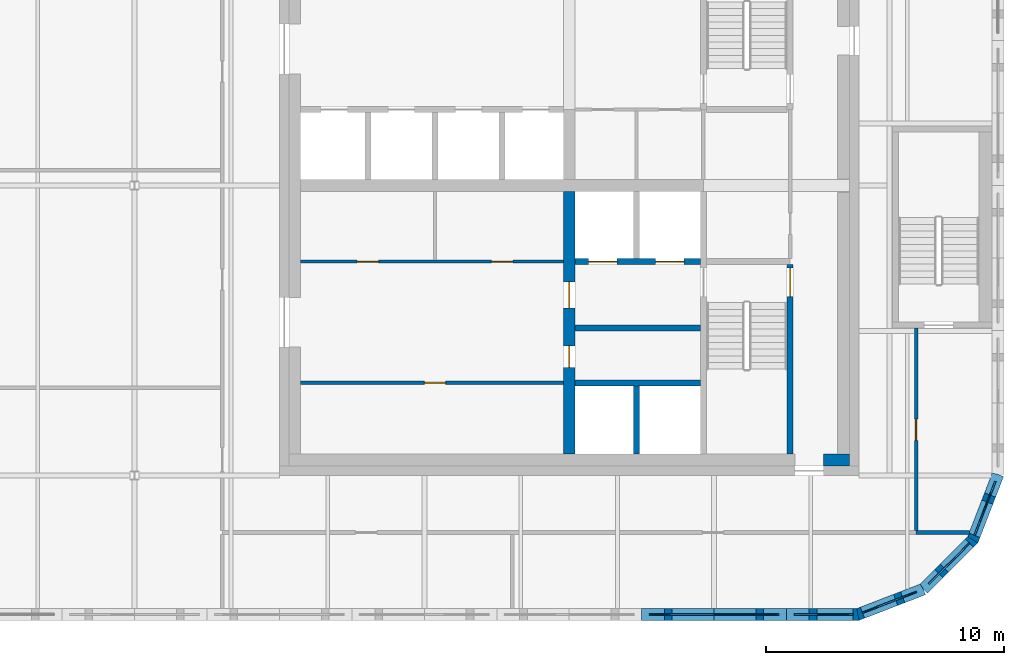
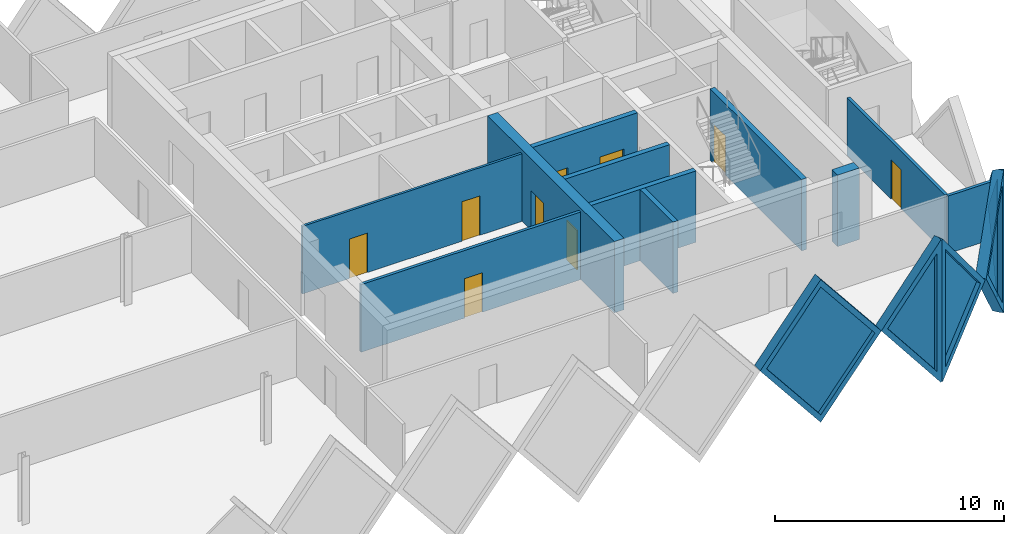
# One storey, part 5 of 10: 16 walls, 9 doors, 5 plates, 14 openings.
"""IFC4 building model written with IfcOpenShell, lengths in metres."""

from ifc_helpers import new_model, si_unit, direction, frame, frame_2d, origin, place, context, subcontext, project, spatial, polyline, rectangle, outline, extrude, faceted_brep, source, transform, mapped, material, layer, layer_set, type_object, element, fill, save


model = new_model("IFC4")

# Units and contexts
model_context = context("Model", 3, precision=1e-05, world=origin(), true_north=direction((0.0, 1.0)))
body_context = subcontext(model_context, "Body", "Model", "MODEL_VIEW")
ifc_project = project(units=[si_unit("LENGTHUNIT", "METRE"), si_unit("AREAUNIT", "SQUARE_METRE"), si_unit("VOLUMEUNIT", "CUBIC_METRE"), si_unit("PLANEANGLEUNIT", "RADIAN"), si_unit("MASSUNIT", "GRAM", prefix="KILO")], contexts=[model_context])

# Site, building, storey
site_placement = place(None, origin())
site = spatial("IfcSite", under=ifc_project, at=site_placement, CompositionType="ELEMENT")
building_placement = place(site_placement, origin())
building = spatial("IfcBuilding", under=site, at=building_placement, Name="Tessera Gate Towers", CompositionType="ELEMENT")
storey_placement = place(building_placement, frame((0.0, 0.0, 252.10009765625)))
storey = spatial("IfcBuildingStorey", under=building, at=storey_placement, Name="L63", CompositionType="ELEMENT", Elevation=252.10009765625)

# Wall, openings, doors
ifc_material_1 = material(Name="Concrete C40/50", Category="concrete")
ifc_layer_1 = layer(ifc_material_1, 0.25)
ifc_layer_set_1 = layer_set([ifc_layer_1], Name="CORE ENCLOSURE WALL 250")
wall_type_1 = type_object("IfcWallType", Name="CORE ENCLOSURE WALL 250", PredefinedType="SOLIDWALL", material=ifc_layer_set_1)
wall_1_placement = place(storey_placement, frame((48.22509765625, 33.39990234375, 0.0), z_axis=(0.0, 0.0, 1.0), x_axis=(-1.0, 0.0, 0.0)))
wall_1 = element("IfcWall", 1, at=wall_1_placement, inside=storey, type_object=wall_type_1, Name="L63 shaft and stair enclosure wall", PredefinedType="SOLIDWALL", context=body_context, shape_type="SweptSolid", body=[
    extrude(rectangle(XDim=5.275146484375, YDim=0.25, at=frame_2d((2.6376953125, 0.0))), origin(), (0.0, 0.0, 1.0), 3.7998046875),
])
shared_shape_1 = source(origin(), body_context, "Body", "SweptSolid", [
    extrude(rectangle(XDim=1.199951171875, YDim=2.10009765625, at=frame_2d((0.60009765625, 1.050048828125))), frame((0.0, 0.135009765625, 0.0), z_axis=(0.0, -1.0, 0.0), x_axis=(1.0, 0.0, 0.0)), (0.0, 0.0, 1.0), 0.27001953125),
])
opening_1_placement = place(wall_1_placement, frame((3.512451171875, 0.0, 0.0)))
opening_1 = element("IfcOpeningElement", 2, at=opening_1_placement, cuts=wall_1, Name="Opening LD-FF1", PredefinedType="OPENING", context=body_context, shape_type="MappedRepresentation", body=[
    mapped(shared_shape_1, transform((0.0, 0.0, 0.0), scale=1.0)),
])
opening_2_placement = place(wall_1_placement, frame((0.6875, 0.0, 0.0)))
opening_2 = element("IfcOpeningElement", 3, at=opening_2_placement, cuts=wall_1, Name="Opening LD-FF2", PredefinedType="OPENING", context=body_context, shape_type="MappedRepresentation", body=[
    mapped(shared_shape_1, transform((0.0, 0.0, 0.0), scale=1.0)),
])
ifc_material_2 = material(Name="Stainless steel", Category="steel")
door_type_1 = type_object("IfcDoorType", Name="CORE DOOR LD1200 1200x2100", OperationType="DOUBLE_DOOR_SLIDING", PredefinedType="DOOR", material=ifc_material_2)
shared_shape_2 = source(origin(), body_context, "Body", "SweptSolid", [
    extrude(rectangle(XDim=1.199951171875, YDim=2.10009765625, at=frame_2d((0.60009765625, 1.050048828125))), frame((0.0, 0.02490234375, 0.0), z_axis=(0.0, -1.0, 0.0), x_axis=(1.0, 0.0, 0.0)), (0.0, 0.0, 1.0), 0.050048828125),
])
door_1_placement = place(opening_1_placement, origin())
door_1 = element("IfcDoor", 4, at=door_1_placement, inside=storey, type_object=door_type_1, Name="Landing door FF1 L63", OperationType="DOUBLE_DOOR_SLIDING", OverallHeight=2.10009765625, OverallWidth=1.199951171875, PredefinedType="DOOR", context=body_context, shape_type="MappedRepresentation", body=[
    mapped(shared_shape_2, transform((0.0, 0.0, 0.0), scale=1.0)),
])
fill(opening_1, door_1)
door_2_placement = place(opening_2_placement, origin())
door_2 = element("IfcDoor", 5, at=door_2_placement, inside=storey, type_object=door_type_1, Name="Landing door FF2 L63", OperationType="DOUBLE_DOOR_SLIDING", OverallHeight=2.10009765625, OverallWidth=1.199951171875, PredefinedType="DOOR", context=body_context, shape_type="MappedRepresentation", body=[
    mapped(shared_shape_2, transform((0.0, 0.0, 0.0), scale=1.0)),
])
fill(opening_2, door_2)

# Wall, opening, door
wall_2_placement = place(storey_placement, frame((52.0, 25.300048828125, 0.0), z_axis=(0.0, 0.0, 1.0), x_axis=(0.0, 1.0, 0.0)))
wall_2 = element("IfcWall", 6, at=wall_2_placement, inside=storey, type_object=wall_type_1, Name="L63 shaft and stair enclosure wall", PredefinedType="SOLIDWALL", context=body_context, shape_type="SweptSolid", body=[
    extrude(rectangle(XDim=7.974853515625, YDim=0.25, at=frame_2d((3.9873046875, 0.0))), origin(), (0.0, 0.0, 1.0), 3.7998046875),
])
opening_3_placement = place(wall_2_placement, frame((6.625, 0.0, 0.0)))
opening_3 = element("IfcOpeningElement", 7, at=opening_3_placement, cuts=wall_2, Name="Opening SD-ST1-2", PredefinedType="OPENING", context=body_context, shape_type="MappedRepresentation", body=[
    mapped(shared_shape_1, transform((0.0, 0.0, 0.0), scale=1.0)),
])
ifc_material_3 = material(Name="Hollow steel fire door", Category="steel")
door_type_2 = type_object("IfcDoorType", Name="CORE DOOR SD 1200x2100", OperationType="NOTDEFINED", PredefinedType="DOOR", material=ifc_material_3)
door_3_placement = place(opening_3_placement, origin())
door_3 = element("IfcDoor", 8, at=door_3_placement, inside=storey, type_object=door_type_2, Name="Stair door", OperationType="SINGLE_SWING_RIGHT", OverallHeight=2.10009765625, OverallWidth=1.199951171875, PredefinedType="DOOR", context=body_context, shape_type="MappedRepresentation", body=[
    mapped(shared_shape_2, transform((0.0, 0.0, 0.0), scale=1.0)),
])
fill(opening_3, door_3)

# Walls
for number, where, z_axis, x_axis, name in (
    (9, (42.949951171875, 28.300048828125, 0.0), (0.0, 0.0, 1.0), (1.0, 0.0, 0.0), "L63 shaft and stair enclosure wall"),
    (10, (42.949951171875, 30.60009765625, 0.0), (0.0, 0.0, 1.0), (1.0, 0.0, 0.0), "L63 shaft and stair enclosure wall"),
):
    element("IfcWall", number, at=place(storey_placement, frame(where, z_axis=z_axis, x_axis=x_axis)), inside=storey, type_object=wall_type_1, Name=name, PredefinedType="SOLIDWALL", context=body_context, shape_type="SweptSolid", body=[
        extrude(rectangle(XDim=5.275146484375, YDim=0.25, at=frame_2d((2.6376953125, 0.0))), origin(), (0.0, 0.0, 1.0), 3.7998046875),
    ])
wall_3_placement = place(storey_placement, frame((45.52490234375, 25.300048828125, 0.0), z_axis=(0.0, 0.0, 1.0), x_axis=(0.0, 1.0, 0.0)))
element("IfcWall", 11, at=wall_3_placement, inside=storey, type_object=wall_type_1, Name="L63 shaft and stair enclosure wall", PredefinedType="SOLIDWALL", context=body_context, shape_type="SweptSolid", body=[
    extrude(rectangle(XDim=2.875, YDim=0.25, at=frame_2d((1.4375, 0.0))), origin(), (0.0, 0.0, 1.0), 3.7998046875),
])

# Wall, openings, doors
ifc_material_4 = material(Name="Gypsum board on steel studs", Category="steel")
ifc_layer_2 = layer(ifc_material_4, 0.1201171875)
ifc_layer_set_2 = layer_set([ifc_layer_2], Name="CORE PARTITION 120")
wall_type_2 = type_object("IfcWallType", Name="CORE PARTITION 120", PredefinedType="PARTITIONING", material=ifc_layer_set_2)
wall_4_placement = place(storey_placement, frame((31.39990234375, 33.39990234375, 0.0), z_axis=(0.0, 0.0, 1.0), x_axis=(1.0, 0.0, 0.0)))
wall_4 = element("IfcWall", 12, at=wall_4_placement, inside=storey, type_object=wall_type_2, Name="L63 core partition", PredefinedType="PARTITIONING", context=body_context, shape_type="SweptSolid", body=[
    extrude(rectangle(XDim=11.050048828125, YDim=0.1201171875, at=frame_2d((5.52490234375, 0.0))), origin(), (0.0, 0.0, 1.0), 3.599853515625),
])
shared_shape_3 = source(origin(), body_context, "Body", "SweptSolid", [
    extrude(rectangle(XDim=0.89990234375, YDim=2.10009765625, at=frame_2d((0.449951171875, 1.050048828125))), frame((0.0, 0.070068359375, 0.0), z_axis=(0.0, -1.0, 0.0), x_axis=(1.0, 0.0, 0.0)), (0.0, 0.0, 1.0), 0.14013671875),
])
opening_4_placement = place(wall_4_placement, frame((2.375, 0.0, 0.0)))
opening_4 = element("IfcOpeningElement", 13, at=opening_4_placement, cuts=wall_4, Name="Opening RD-T1-37-08", PredefinedType="OPENING", context=body_context, shape_type="MappedRepresentation", body=[
    mapped(shared_shape_3, transform((0.0, 0.0, 0.0), scale=1.0)),
])
opening_5_placement = place(wall_4_placement, frame((8.02490234375, 0.0, 0.0)))
opening_5 = element("IfcOpeningElement", 14, at=opening_5_placement, cuts=wall_4, Name="Opening RD-T1-37-09", PredefinedType="OPENING", context=body_context, shape_type="MappedRepresentation", body=[
    mapped(shared_shape_3, transform((0.0, 0.0, 0.0), scale=1.0)),
])
ifc_material_5 = material(Name="Hollow steel fire door", Category="steel")
door_type_3 = type_object("IfcDoorType", Name="CORE DOOR RD 900x2100", OperationType="NOTDEFINED", PredefinedType="DOOR", material=ifc_material_5)
shared_shape_4 = source(origin(), body_context, "Body", "SweptSolid", [
    extrude(rectangle(XDim=0.89990234375, YDim=2.10009765625, at=frame_2d((0.449951171875, 1.050048828125))), frame((0.0, 0.02490234375, 0.0), z_axis=(0.0, -1.0, 0.0), x_axis=(1.0, 0.0, 0.0)), (0.0, 0.0, 1.0), 0.050048828125),
])
door_4_placement = place(opening_4_placement, origin())
door_4 = element("IfcDoor", 15, at=door_4_placement, inside=storey, type_object=door_type_3, Name="Core room door", OperationType="SINGLE_SWING_LEFT", OverallHeight=2.10009765625, OverallWidth=0.89990234375, PredefinedType="DOOR", context=body_context, shape_type="MappedRepresentation", body=[
    mapped(shared_shape_4, transform((0.0, 0.0, 0.0), scale=1.0)),
])
fill(opening_4, door_4)
door_5_placement = place(opening_5_placement, origin())
door_5 = element("IfcDoor", 16, at=door_5_placement, inside=storey, type_object=door_type_3, Name="Core room door", OperationType="SINGLE_SWING_RIGHT", OverallHeight=2.10009765625, OverallWidth=0.89990234375, PredefinedType="DOOR", context=body_context, shape_type="MappedRepresentation", body=[
    mapped(shared_shape_4, transform((0.0, 0.0, 0.0), scale=1.0)),
])
fill(opening_5, door_5)

ifc_material_6 = material(Name="Concrete C40/50", Category="concrete")
ifc_layer_3 = layer(ifc_material_6, 0.5)
ifc_layer_set_3 = layer_set([ifc_layer_3], Name="CORE SPINE WALL 500 C40/50")
wall_type_3 = type_object("IfcWallType", Name="CORE SPINE WALL 500 C40/50", PredefinedType="SHEAR", material=ifc_layer_set_3)
wall_5_placement = place(storey_placement, frame((42.699951171875, 36.35009765625, 0.0), z_axis=(0.0, 0.0, 1.0), x_axis=(0.0, -1.0, 0.0)))
wall_5 = element("IfcWall", 17, at=wall_5_placement, inside=storey, type_object=wall_type_3, Name="Core wall spine L63", PredefinedType="SHEAR", context=body_context, shape_type="SweptSolid", body=[
    extrude(rectangle(XDim=11.050048828125, YDim=0.5, at=frame_2d((5.52490234375, 0.0))), origin(), (0.0, 0.0, 1.0), 3.7998046875),
])
shared_shape_5 = source(origin(), body_context, "Body", "SweptSolid", [
    extrude(rectangle(XDim=0.89990234375, YDim=2.10009765625, at=frame_2d((0.449951171875, 1.050048828125))), frame((0.0, 0.260009765625, 0.0), z_axis=(0.0, -1.0, 0.0), x_axis=(1.0, 0.0, 0.0)), (0.0, 0.0, 1.0), 0.52001953125),
])
opening_6_placement = place(wall_5_placement, frame((6.5, 0.0, 0.0)))
opening_6 = element("IfcOpeningElement", 18, at=opening_6_placement, cuts=wall_5, Name="Opening RD-T1-37-05", PredefinedType="OPENING", context=body_context, shape_type="MappedRepresentation", body=[
    mapped(shared_shape_5, transform((0.0, 0.0, 0.0), scale=1.0)),
])
shared_shape_6 = source(origin(), body_context, "Body", "SweptSolid", [
    extrude(rectangle(XDim=1.10009765625, YDim=2.10009765625, at=frame_2d((0.550048828125, 1.050048828125))), frame((0.0, 0.260009765625, 0.0), z_axis=(0.0, -1.0, 0.0), x_axis=(1.0, 0.0, 0.0)), (0.0, 0.0, 1.0), 0.52001953125),
])
opening_7_placement = place(wall_5_placement, frame((3.800048828125, 0.0, 0.0)))
opening_7 = element("IfcOpeningElement", 19, at=opening_7_placement, cuts=wall_5, Name="Opening FD-T1-37-06", PredefinedType="OPENING", context=body_context, shape_type="MappedRepresentation", body=[
    mapped(shared_shape_6, transform((0.0, 0.0, 0.0), scale=1.0)),
])
door_6_placement = place(opening_6_placement, origin())
door_6 = element("IfcDoor", 20, at=door_6_placement, inside=storey, type_object=door_type_3, Name="Core room door", OperationType="SINGLE_SWING_RIGHT", OverallHeight=2.10009765625, OverallWidth=0.89990234375, PredefinedType="DOOR", context=body_context, shape_type="MappedRepresentation", body=[
    mapped(shared_shape_4, transform((0.0, 0.0, 0.0), scale=1.0)),
])
fill(opening_6, door_6)
ifc_material_7 = material(Name="Hollow steel fire door", Category="steel")
door_type_4 = type_object("IfcDoorType", Name="CORE DOOR FD 1100x2100", OperationType="NOTDEFINED", PredefinedType="DOOR", material=ifc_material_7)
shared_shape_7 = source(origin(), body_context, "Body", "SweptSolid", [
    extrude(rectangle(XDim=1.10009765625, YDim=2.10009765625, at=frame_2d((0.550048828125, 1.050048828125))), frame((0.0, 0.02490234375, 0.0), z_axis=(0.0, -1.0, 0.0), x_axis=(1.0, 0.0, 0.0)), (0.0, 0.0, 1.0), 0.050048828125),
])
door_7_placement = place(opening_7_placement, origin())
door_7 = element("IfcDoor", 21, at=door_7_placement, inside=storey, type_object=door_type_4, Name="Fire-fighting lobby door", OperationType="SINGLE_SWING_LEFT", OverallHeight=2.10009765625, OverallWidth=1.10009765625, PredefinedType="DOOR", context=body_context, shape_type="MappedRepresentation", body=[
    mapped(shared_shape_7, transform((0.0, 0.0, 0.0), scale=1.0)),
])
fill(opening_7, door_7)

# Wall
ifc_material_8 = material(Name="Concrete C40/50", Category="concrete")
ifc_layer_4 = layer(ifc_material_8, 0.5)
ifc_layer_set_4 = layer_set([ifc_layer_4], Name="CORE WALL THICKENING 500")
wall_type_4 = type_object("IfcWallType", Name="CORE WALL THICKENING 500", PredefinedType="SOLIDWALL", material=ifc_layer_set_4)
wall_6_placement = place(storey_placement, frame((53.39990234375, 25.050048828125, 0.0), z_axis=(0.0, 0.0, 1.0), x_axis=(1.0, 0.0, 0.0)))
element("IfcWall", 22, at=wall_6_placement, inside=storey, type_object=wall_type_4, Name="Core wall thickening S L63", PredefinedType="SOLIDWALL", context=body_context, shape_type="SweptSolid", body=[
    extrude(rectangle(XDim=1.10009765625, YDim=0.5, at=frame_2d((0.550048828125, 0.0))), origin(), (0.0, 0.0, 1.0), 3.7998046875),
])

# Wall, opening, door
ifc_material_9 = material(Name="Gypsum board on steel studs, mineral wool", Category="steel")
ifc_layer_5 = layer(ifc_material_9, 0.14990234375)
ifc_layer_set_5 = layer_set([ifc_layer_5], Name="CORRIDOR WALL 150")
wall_type_5 = type_object("IfcWallType", Name="CORRIDOR WALL 150", PredefinedType="PARTITIONING", material=ifc_layer_set_5)
wall_7_placement = place(storey_placement, frame((57.300048828125, 30.60009765625, 0.0), z_axis=(0.0, 0.0, 1.0), x_axis=(0.0, -1.0, 0.0)))
wall_7 = element("IfcWall", 23, at=wall_7_placement, inside=storey, type_object=wall_type_5, Name="T1-L63-PW-006", PredefinedType="PARTITIONING", context=body_context, shape_type="SweptSolid", body=[
    extrude(rectangle(XDim=8.524169921875, YDim=0.14990234375, at=frame_2d((4.26220703125, 0.0))), origin(), (0.0, 0.0, 1.0), 3.06689453125),
])
shared_shape_8 = source(origin(), body_context, "Body", "SweptSolid", [
    extrude(rectangle(XDim=0.89990234375, YDim=2.10009765625, at=frame_2d((0.449951171875, 1.050048828125))), frame((0.0, 0.0849609375, 0.0), z_axis=(0.0, -1.0, 0.0), x_axis=(1.0, 0.0, 0.0)), (0.0, 0.0, 1.0), 0.169921875),
])
opening_8_placement = place(wall_7_placement, frame((3.823974609375, 0.0, 0.0)))
opening_8 = element("IfcOpeningElement", 24, at=opening_8_placement, cuts=wall_7, Name="Opening D890FD60-A22-04", PredefinedType="OPENING", context=body_context, shape_type="MappedRepresentation", body=[
    mapped(shared_shape_8, transform((0.0, 0.0, 0.0), scale=1.0)),
])
ifc_material_10 = material(Name="Timber door leaf in steel frame", Category="steel")
door_type_5 = type_object("IfcDoorType", Name="CORRIDOR DOOR 900 FD60", OperationType="NOTDEFINED", PredefinedType="DOOR", material=ifc_material_10)
door_8_placement = place(opening_8_placement, origin())
door_8 = element("IfcDoor", 25, at=door_8_placement, inside=storey, type_object=door_type_5, Name="T1-L63-PD-010", OperationType="SINGLE_SWING_RIGHT", OverallHeight=2.10009765625, OverallWidth=0.89990234375, PredefinedType="DOOR", context=body_context, shape_type="MappedRepresentation", body=[
    mapped(shared_shape_4, transform((0.0, 0.0, 0.0), scale=1.0)),
])
fill(opening_8, door_8)

ifc_material_11 = material(Name="Gypsum board on steel studs", Category="steel")
ifc_layer_6 = layer(ifc_material_11, 0.14990234375)
ifc_layer_set_6 = layer_set([ifc_layer_6], Name="SERVICE ROOM WALL 150")
wall_type_6 = type_object("IfcWallType", Name="SERVICE ROOM WALL 150", PredefinedType="PARTITIONING", material=ifc_layer_set_6)
wall_8_placement = place(storey_placement, frame((42.449951171875, 28.300048828125, 0.0), z_axis=(0.0, 0.0, 1.0), x_axis=(-1.0, 0.0, 0.0)))
wall_8 = element("IfcWall", 26, at=wall_8_placement, inside=storey, type_object=wall_type_6, Name="L63 service room wall", PredefinedType="PARTITIONING", context=body_context, shape_type="SweptSolid", body=[
    extrude(rectangle(XDim=11.050048828125, YDim=0.14990234375, at=frame_2d((5.52490234375, 0.0))), origin(), (0.0, 0.0, 1.0), 3.599853515625),
])
opening_9_placement = place(wall_8_placement, frame((4.949951171875, 0.0, 0.0)))
opening_9 = element("IfcOpeningElement", 27, at=opening_9_placement, cuts=wall_8, Name="Opening RD-T1-37-07", PredefinedType="OPENING", context=body_context, shape_type="MappedRepresentation", body=[
    mapped(shared_shape_8, transform((0.0, 0.0, 0.0), scale=1.0)),
])
door_9_placement = place(opening_9_placement, origin())
door_9 = element("IfcDoor", 28, at=door_9_placement, inside=storey, type_object=door_type_3, Name="Core room door", OperationType="SINGLE_SWING_LEFT", OverallHeight=2.10009765625, OverallWidth=0.89990234375, PredefinedType="DOOR", context=body_context, shape_type="MappedRepresentation", body=[
    mapped(shared_shape_4, transform((0.0, 0.0, 0.0), scale=1.0)),
])
fill(opening_9, door_9)

# Wall
ifc_material_12 = material(Name="Gypsum board on steel studs, mineral wool", Category="steel")
ifc_layer_7 = layer(ifc_material_12, 0.14990234375)
ifc_layer_set_7 = layer_set([ifc_layer_7], Name="TENANCY WALL 150")
wall_type_7 = type_object("IfcWallType", Name="TENANCY WALL 150", PredefinedType="PARTITIONING", material=ifc_layer_set_7)
wall_9_placement = place(storey_placement, frame((57.301025390625, 22.0, 0.0), z_axis=(0.0, 0.0, 1.0), x_axis=(1.0, 0.0, 0.0)))
element("IfcWall", 29, at=wall_9_placement, inside=storey, type_object=wall_type_7, Name="T1-L63-PW-004", PredefinedType="PARTITIONING", context=body_context, shape_type="SweptSolid", body=[
    extrude(rectangle(XDim=2.2373046875, YDim=0.14990234375, at=frame_2d((1.11865234375, 0.0))), origin(), (0.0, 0.0, 1.0), 3.06689453125),
])

# Wall, opening, plate
ifc_material_13 = material(Name="Precast concrete C60/75 white", Category="concrete")
ifc_layer_8 = layer(ifc_material_13, 0.5)
ifc_layer_set_8 = layer_set([ifc_layer_8], Name="TS1 tessera")
wall_type_8 = type_object("IfcWallType", Name="TS1 tessera", PredefinedType="SOLIDWALL", material=ifc_layer_set_8)
shared_shape_9 = source(origin(), body_context, "Body", "SweptSolid", [
    extrude(outline(polyline([(3.050048828125, 0.0), (6.10009765625, 3.800048828125), (3.050048828125, 7.599853515625), (0.0, 3.800048828125), (3.050048828125, 0.0)])), frame((0.0, 0.25, 0.0), z_axis=(0.0, -1.0, 0.0), x_axis=(1.0, 0.0, 0.0)), (0.0, 0.0, 1.0), 0.5),
])
wall_10_placement = place(storey_placement, frame((45.75, 18.550048828125, -3.800048828125), z_axis=(0.0, 0.0, 1.0), x_axis=(1.0, 0.0, 0.0)))
wall_10 = element("IfcWall", 30, at=wall_10_placement, inside=storey, type_object=wall_type_8, Name="Precast tessera T1 TS1-1107", PredefinedType="SOLIDWALL", context=body_context, shape_type="MappedRepresentation", body=[
    mapped(shared_shape_9, transform((0.0, 0.0, 0.0), scale=1.0)),
])
shared_shape_10 = source(origin(), body_context, "Body", "SweptSolid", [
    extrude(outline(polyline([(3.050048828125, 0.3994140625), (5.779541015625, 3.800048828125), (3.050048828125, 7.200439453125), (0.320556640625, 3.800048828125), (3.050048828125, 0.3994140625)])), frame((0.0, 0.260009765625, 0.0), z_axis=(0.0, -1.0, 0.0), x_axis=(1.0, 0.0, 0.0)), (0.0, 0.0, 1.0), 0.52001953125),
])
opening_10_placement = place(wall_10_placement, origin())
opening_10 = element("IfcOpeningElement", 31, at=opening_10_placement, cuts=wall_10, Name="Opening T1-PL2-2241", PredefinedType="OPENING", context=body_context, shape_type="MappedRepresentation", body=[
    mapped(shared_shape_10, transform((0.0, 0.0, 0.0), scale=1.0)),
])
ifc_material_14 = material(Name="Low-e laminated glass", Category="glass")
ifc_layer_9 = layer(ifc_material_14, 0.06005859375)
ifc_layer_set_9 = layer_set([ifc_layer_9], Name="PL2 rhombic pane")
plate_type = type_object("IfcPlateType", Name="PL2 rhombic pane", PredefinedType="SHEET", material=ifc_layer_set_9)
shared_shape_11 = source(origin(), body_context, "Body", "SweptSolid", [
    extrude(outline(polyline([(3.050048828125, 0.3994140625), (5.779541015625, 3.800048828125), (3.050048828125, 7.200439453125), (0.320556640625, 3.800048828125), (3.050048828125, 0.3994140625)])), frame((0.0, 0.030029296875, 0.0), z_axis=(0.0, -1.0, 0.0), x_axis=(1.0, 0.0, 0.0)), (0.0, 0.0, 1.0), 0.06005859375),
])
plate_1_placement = place(opening_10_placement, origin())
plate_1 = element("IfcPlate", 32, at=plate_1_placement, inside=storey, type_object=plate_type, Name="Glass pane T1 PL2-2241", PredefinedType="SHEET", context=body_context, shape_type="MappedRepresentation", body=[
    mapped(shared_shape_11, transform((0.0, 0.0, 0.0), scale=1.0)),
])
fill(opening_10, plate_1)

ifc_material_15 = material(Name="Precast concrete C60/75 white", Category="concrete")
ifc_layer_10 = layer(ifc_material_15, 0.5)
ifc_layer_set_10 = layer_set([ifc_layer_10], Name="TS3 corner tessera")
wall_type_9 = type_object("IfcWallType", Name="TS3 corner tessera", PredefinedType="SOLIDWALL", material=ifc_layer_set_10)
shared_shape_12 = source(origin(), body_context, "Body", "Brep", [
    faceted_brep([(3.00341796875, -0.25, 0.0), (3.050048828125, -0.25, 0.06005859375), (3.050048828125, -0.25, 7.539794921875), (3.00341796875, -0.25, 7.599853515625), (0.0, -0.25, 3.800048828125), (0.0, 0.25, 3.800048828125), (2.956787109375, 0.25, 7.541015625), (2.956787109375, 0.25, 0.058837890625), (3.00341796875, 0.000244140625, 0.0), (3.00341796875, 0.000244140625, 7.599853515625)], [[[0, 1, 2, 3, 4]], [[5, 6, 7]], [[1, 0, 8]], [[9, 3, 2]], [[6, 5, 4, 3, 9]], [[5, 7, 8, 0, 4]], [[1, 8, 7, 6, 9, 2]]]),
])
wall_11_placement = place(storey_placement, frame((51.85009765625, 18.550048828125, -3.800048828125), z_axis=(0.0, 0.0, 1.0), x_axis=(1.0, 0.0, 0.0)))
wall_11 = element("IfcWall", 33, at=wall_11_placement, inside=storey, type_object=wall_type_9, Name="Precast corner tessera T1 TS3-1435", PredefinedType="SOLIDWALL", context=body_context, shape_type="MappedRepresentation", body=[
    mapped(shared_shape_12, transform((0.0, 0.0, 0.0), scale=1.0)),
])
shared_shape_13 = source(origin(), body_context, "Body", "SweptSolid", [
    extrude(outline(polyline([(2.803466796875, 6.94384765625), (0.318603515625, 3.800048828125), (2.803466796875, 0.65625), (2.803466796875, 6.94384765625)])), frame((0.0, 0.260009765625, 0.0), z_axis=(0.0, -1.0, 0.0), x_axis=(1.0, 0.0, 0.0)), (0.0, 0.0, 1.0), 0.52001953125),
])
opening_11_placement = place(wall_11_placement, origin())
opening_11 = element("IfcOpeningElement", 34, at=opening_11_placement, cuts=wall_11, Name="Opening T1-PL2-2242", PredefinedType="OPENING", context=body_context, shape_type="MappedRepresentation", body=[
    mapped(shared_shape_13, transform((0.0, 0.0, 0.0), scale=1.0)),
])
shared_shape_14 = source(origin(), body_context, "Body", "SweptSolid", [
    extrude(outline(polyline([(2.803466796875, 6.94384765625), (0.318603515625, 3.800048828125), (2.803466796875, 0.65625), (2.803466796875, 6.94384765625)])), frame((0.0, 0.030029296875, 0.0), z_axis=(0.0, -1.0, 0.0), x_axis=(1.0, 0.0, 0.0)), (0.0, 0.0, 1.0), 0.06005859375),
])
plate_2_placement = place(opening_11_placement, origin())
plate_2 = element("IfcPlate", 35, at=plate_2_placement, inside=storey, type_object=plate_type, Name="Glass pane T1 PL2-2242", PredefinedType="SHEET", context=body_context, shape_type="MappedRepresentation", body=[
    mapped(shared_shape_14, transform((0.0, 0.0, 0.0), scale=1.0)),
])
fill(opening_11, plate_2)

shared_shape_15 = source(origin(), body_context, "Body", "Brep", [
    faceted_brep([(0.046630859375, -0.25, 0.0), (2.9970703125, -0.25, 3.800048828125), (0.046630859375, -0.25, 7.599853515625), (0.0, -0.25, 7.541015625), (0.0, -0.25, 0.058837890625), (0.09326171875, 0.25, 7.539794921875), (2.9443359375, 0.25, 3.8681640625), (2.9443359375, 0.25, 3.73193359375), (0.09326171875, 0.25, 0.06005859375), (2.9970703125, 0.00048828125, 3.800048828125), (0.046630859375, 0.0, 0.0), (0.046630859375, 0.0, 7.599853515625)], [[[0, 1, 2, 3, 4]], [[5, 6, 7, 8]], [[8, 7, 9, 1, 0, 10]], [[6, 5, 11, 2, 1, 9]], [[3, 2, 11]], [[10, 0, 4]], [[8, 10, 4, 3, 11, 5]], [[7, 6, 9]]]),
])
wall_12_placement = place(storey_placement, frame((54.81005859375, 18.533203125, -3.800048828125), z_axis=(0.0, 0.0, 1.0), x_axis=(0.932990326376, 0.359901446078, 0.0)))
wall_12 = element("IfcWall", 36, at=wall_12_placement, inside=storey, type_object=wall_type_9, Name="Precast corner tessera T1 TS3-1436", PredefinedType="SOLIDWALL", context=body_context, shape_type="MappedRepresentation", body=[
    mapped(shared_shape_15, transform((0.0, 0.0, 0.0), scale=1.0)),
])
shared_shape_16 = source(origin(), body_context, "Body", "SweptSolid", [
    extrude(outline(polyline([(0.24658203125, 0.665283203125), (2.6806640625, 3.800048828125), (0.24658203125, 6.934814453125), (0.24658203125, 0.665283203125)])), frame((0.0, 0.260009765625, 0.0), z_axis=(0.0, -1.0, 0.0), x_axis=(1.0, 0.0, 0.0)), (0.0, 0.0, 1.0), 0.52001953125),
])
opening_12_placement = place(wall_12_placement, origin())
opening_12 = element("IfcOpeningElement", 37, at=opening_12_placement, cuts=wall_12, Name="Opening T1-PL2-2243", PredefinedType="OPENING", context=body_context, shape_type="MappedRepresentation", body=[
    mapped(shared_shape_16, transform((0.0, 0.0, 0.0), scale=1.0)),
])
shared_shape_17 = source(origin(), body_context, "Body", "SweptSolid", [
    extrude(outline(polyline([(0.24658203125, 0.665283203125), (2.6806640625, 3.800048828125), (0.24658203125, 6.934814453125), (0.24658203125, 0.665283203125)])), frame((0.0, 0.030029296875, 0.0), z_axis=(0.0, -1.0, 0.0), x_axis=(1.0, 0.0, 0.0)), (0.0, 0.0, 1.0), 0.06005859375),
])
plate_3_placement = place(opening_12_placement, origin())
plate_3 = element("IfcPlate", 38, at=plate_3_placement, inside=storey, type_object=plate_type, Name="Glass pane T1 PL2-2243", PredefinedType="SHEET", context=body_context, shape_type="MappedRepresentation", body=[
    mapped(shared_shape_17, transform((0.0, 0.0, 0.0), scale=1.0)),
])
fill(opening_12, plate_3)

shared_shape_18 = source(origin(), body_context, "Body", "Brep", [
    faceted_brep([(0.052978515625, -0.25, 0.0), (3.00341796875, -0.25, 3.800048828125), (0.052978515625, -0.25, 7.599853515625), (0.0, -0.25, 7.531494140625), (0.0, -0.25, 0.068359375), (0.10595703125, 0.25, 7.53173828125), (2.95703125, 0.25, 3.85986328125), (2.95703125, 0.25, 3.740234375), (0.10595703125, 0.25, 0.068115234375), (3.00341796875, 0.00048828125, 3.800048828125), (0.052978515625, 0.0, 0.0), (0.052978515625, 0.0, 7.599853515625)], [[[0, 1, 2, 3, 4]], [[5, 6, 7, 8]], [[8, 7, 9, 1, 0, 10]], [[6, 5, 11, 2, 1, 9]], [[3, 2, 11]], [[10, 0, 4]], [[8, 10, 4, 3, 11, 5]], [[7, 6, 9]]]),
])
wall_13_placement = place(storey_placement, frame((59.6689453125, 21.644287109375, -3.800048828125), z_axis=(0.0, 0.0, 1.0), x_axis=(0.35992665181, 0.932980602862, 0.0)))
wall_13 = element("IfcWall", 39, at=wall_13_placement, inside=storey, type_object=wall_type_9, Name="Precast corner tessera T1 TS3-1438", PredefinedType="SOLIDWALL", context=body_context, shape_type="MappedRepresentation", body=[
    mapped(shared_shape_18, transform((0.0, 0.0, 0.0), scale=1.0)),
])
shared_shape_19 = source(origin(), body_context, "Body", "SweptSolid", [
    extrude(outline(polyline([(0.2529296875, 0.665283203125), (2.68701171875, 3.800048828125), (0.2529296875, 6.934814453125), (0.2529296875, 0.665283203125)])), frame((0.0, 0.260009765625, 0.0), z_axis=(0.0, -1.0, 0.0), x_axis=(1.0, 0.0, 0.0)), (0.0, 0.0, 1.0), 0.52001953125),
])
opening_13_placement = place(wall_13_placement, origin())
opening_13 = element("IfcOpeningElement", 40, at=opening_13_placement, cuts=wall_13, Name="Opening T1-PL2-2245", PredefinedType="OPENING", context=body_context, shape_type="MappedRepresentation", body=[
    mapped(shared_shape_19, transform((0.0, 0.0, 0.0), scale=1.0)),
])
shared_shape_20 = source(origin(), body_context, "Body", "SweptSolid", [
    extrude(outline(polyline([(0.2529296875, 0.665283203125), (2.68701171875, 3.800048828125), (0.2529296875, 6.934814453125), (0.2529296875, 0.665283203125)])), frame((0.0, 0.030029296875, 0.0), z_axis=(0.0, -1.0, 0.0), x_axis=(1.0, 0.0, 0.0)), (0.0, 0.0, 1.0), 0.06005859375),
])
plate_4_placement = place(opening_13_placement, origin())
plate_4 = element("IfcPlate", 41, at=plate_4_placement, inside=storey, type_object=plate_type, Name="Glass pane T1 PL2-2245", PredefinedType="SHEET", context=body_context, shape_type="MappedRepresentation", body=[
    mapped(shared_shape_20, transform((0.0, 0.0, 0.0), scale=1.0)),
])
fill(opening_13, plate_4)

shared_shape_21 = source(origin(), body_context, "Body", "Brep", [
    faceted_brep([(2.944091796875, -0.25, 0.0), (2.9970703125, -0.25, 0.068115234375), (2.9970703125, -0.25, 7.53173828125), (2.944091796875, -0.25, 7.599853515625), (0.0, -0.25, 3.800048828125), (0.052978515625, 0.25, 3.868408203125), (2.89111328125, 0.25, 7.53173828125), (2.89111328125, 0.25, 0.068115234375), (0.052978515625, 0.25, 3.731689453125), (2.944091796875, 0.000244140625, 0.0), (2.944091796875, 0.000244140625, 7.599853515625), (0.0, 0.0, 3.800048828125)], [[[0, 1, 2, 3, 4]], [[5, 6, 7, 8]], [[1, 0, 9]], [[10, 3, 2]], [[6, 5, 11, 4, 3, 10]], [[8, 7, 9, 0, 4, 11]], [[8, 11, 5]], [[1, 9, 7, 6, 10, 2]]]),
])
wall_14_placement = place(storey_placement, frame((57.606201171875, 19.61181640625, -3.800048828125), z_axis=(0.0, 0.0, 1.0), x_axis=(0.707106781187, 0.707106781187, 0.0)))
wall_14 = element("IfcWall", 42, at=wall_14_placement, inside=storey, type_object=wall_type_9, Name="Precast corner tessera T1 TS3-1437", PredefinedType="SOLIDWALL", context=body_context, shape_type="MappedRepresentation", body=[
    mapped(shared_shape_21, transform((0.0, 0.0, 0.0), scale=1.0)),
])
shared_shape_22 = source(origin(), body_context, "Body", "SweptSolid", [
    extrude(outline(polyline([(2.744140625, 6.93359375), (0.316162109375, 3.800048828125), (2.744140625, 0.666259765625), (2.744140625, 6.93359375)])), frame((0.0, 0.260009765625, 0.0), z_axis=(0.0, -1.0, 0.0), x_axis=(1.0, 0.0, 0.0)), (0.0, 0.0, 1.0), 0.52001953125),
])
opening_14_placement = place(wall_14_placement, origin())
opening_14 = element("IfcOpeningElement", 43, at=opening_14_placement, cuts=wall_14, Name="Opening T1-PL2-2244", PredefinedType="OPENING", context=body_context, shape_type="MappedRepresentation", body=[
    mapped(shared_shape_22, transform((0.0, 0.0, 0.0), scale=1.0)),
])
shared_shape_23 = source(origin(), body_context, "Body", "SweptSolid", [
    extrude(outline(polyline([(2.744140625, 6.93359375), (0.316162109375, 3.800048828125), (2.744140625, 0.666259765625), (2.744140625, 6.93359375)])), frame((0.0, 0.030029296875, 0.0), z_axis=(0.0, -1.0, 0.0), x_axis=(1.0, 0.0, 0.0)), (0.0, 0.0, 1.0), 0.06005859375),
])
plate_5_placement = place(opening_14_placement, origin())
plate_5 = element("IfcPlate", 44, at=plate_5_placement, inside=storey, type_object=plate_type, Name="Glass pane T1 PL2-2244", PredefinedType="SHEET", context=body_context, shape_type="MappedRepresentation", body=[
    mapped(shared_shape_23, transform((0.0, 0.0, 0.0), scale=1.0)),
])
fill(opening_14, plate_5)

save(model, "model.ifc")
